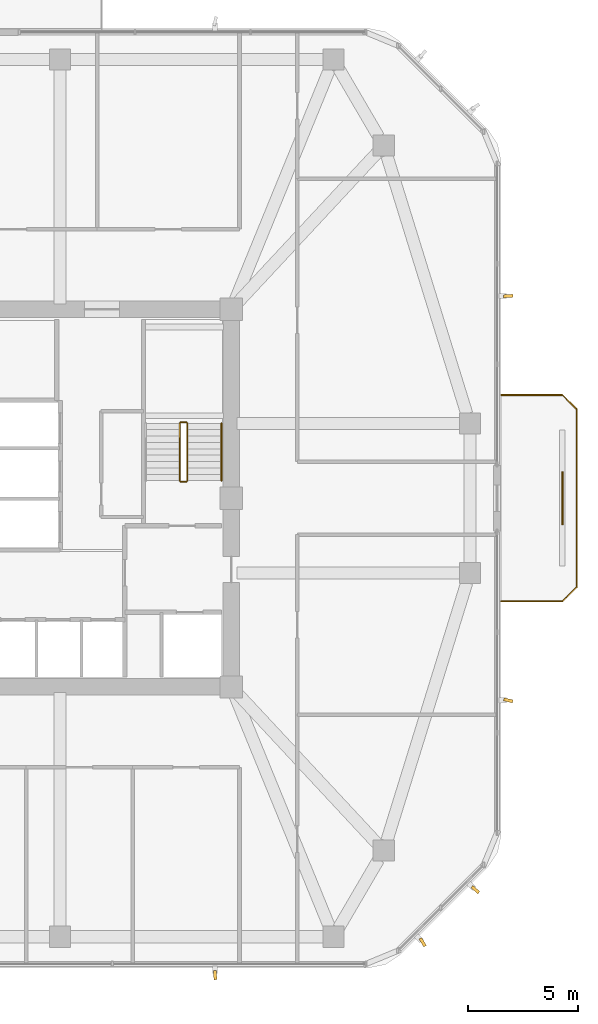
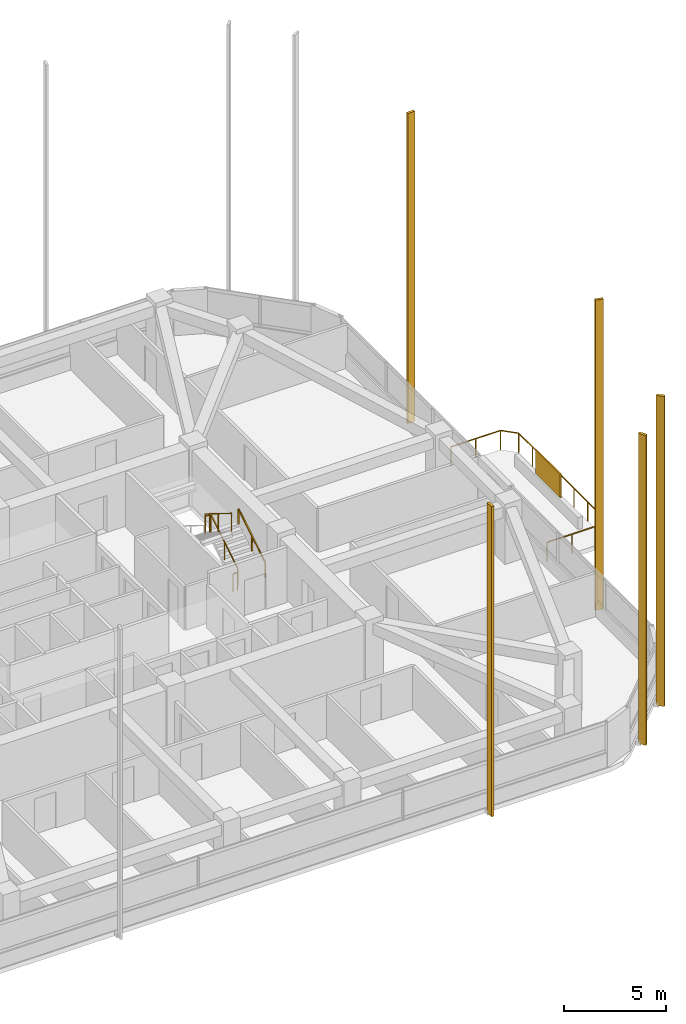
# One storey, part 13 of 14: 6 railings, 6 shading devices.
"""IFC4 building model written with IfcOpenShell, lengths in metres."""

from ifc_helpers import new_model, si_unit, derived_unit, direction, frame, origin, origin_2d, place, context, subcontext, project, spatial, rectangle, extrude, material, layer, layer_set, type_object, element, save


model = new_model("IFC4")

# Units and contexts
model_context = context("Model", 3, precision=1e-05, world=origin(), true_north=direction((0.0, 1.0)))
body_context = subcontext(model_context, "Body", "Model", "MODEL_VIEW")
ifc_project = project(units=[si_unit("LENGTHUNIT", "METRE"), si_unit("AREAUNIT", "SQUARE_METRE"), si_unit("VOLUMEUNIT", "CUBIC_METRE"), si_unit("PLANEANGLEUNIT", "RADIAN"), si_unit("MASSUNIT", "GRAM", prefix="KILO"), derived_unit("THERMALTRANSMITTANCEUNIT", [(si_unit("POWERUNIT", "WATT"), 1), (si_unit("LENGTHUNIT", "METRE"), -2), (si_unit("THERMODYNAMICTEMPERATUREUNIT", "KELVIN"), -1)])], contexts=[model_context])

# Site, building, storey
site_placement = place(None, origin())
site = spatial("IfcSite", under=ifc_project, at=site_placement, CompositionType="ELEMENT")
building_placement = place(site_placement, origin())
building = spatial("IfcBuilding", under=site, at=building_placement, Name="Koralith Skygarden Medical Center", CompositionType="ELEMENT")
storey_placement = place(building_placement, frame((0.0, 0.0, 174.419921875)))
storey = spatial("IfcBuildingStorey", under=building, at=storey_placement, Name="L45", CompositionType="ELEMENT", Elevation=174.419921875)

# Shading devices
ifc_material_1 = material(Name="Aluminium 6063-T6", Category="aluminium")
shading_device_type_1 = type_object("IfcShadingDeviceType", Name="Limestone-Clad Solar Storm Fin 420", PredefinedType="USERDEFINED", material=ifc_material_1)
for number, where, z_axis, x_axis, name in (
    (1, (47.4599609375, 4.169921875, -0.19970703125), (0.0, 0.0, 1.0), (0.070853310317, -0.997486745986, 0.0), "L45 S Harmonic Solar Storm Fin 2"),
    (2, (56.91796875, 5.66796875, -0.19970703125), (0.0, 0.0, 1.0), (0.524075095733, -0.851672057797, 0.0), "L45 SE Harmonic Solar Storm Fin 1"),
    (3, (59.31591796875, 8.06591796875, -0.19970703125), (0.0, 0.0, 1.0), (0.755430498425, -0.655228786036, 0.0), "L45 SE Harmonic Solar Storm Fin 2"),
    (4, (60.81396484375, 16.68994140625, -0.19970703125), (0.0, 0.0, 1.0), (0.972800141459, -0.231646033372, 0.0), "L45 E Harmonic Solar Storm Fin 1"),
    (5, (60.81396484375, 35.110107421875, -0.19970703125), (0.0, 0.0, 1.0), (0.997486745986, 0.070853310317, 0.0), "L45 E Harmonic Solar Storm Fin 2"),
):
    element("IfcShadingDevice", number, at=place(storey_placement, frame(where, z_axis=z_axis, x_axis=x_axis)), inside=storey, type_object=shading_device_type_1, Name=name, ObjectType="SOLAR FIN", PredefinedType="USERDEFINED", context=body_context, shape_type="SweptSolid", body=[
        extrude(rectangle(XDim=0.419921875, YDim=0.139892578125, at=origin_2d()), origin(), (0.0, 0.0, 1.0), 18.510009765625),
    ])

# Railing
ifc_material_2 = material(Name="Steel ASTM A500 Grade C", Category="steel")
railing_type_1 = type_object("IfcRailingType", Name="Outdoor Terrace & Balcony Safety Guardrail 1180", PredefinedType="GUARDRAIL", material=ifc_material_2)
railing_1_placement = place(storey_placement, frame((60.48388671875, 21.199951171875, 0.0)))
element("IfcRailing", 6, at=railing_1_placement, inside=storey, type_object=railing_type_1, Name="L45 E Balcony Perimeter Guardrail", PredefinedType="GUARDRAIL", context=body_context, shape_type="SweptSolid", body=[
    extrude(rectangle(XDim=0.050048828125, YDim=0.050048828125, at=origin_2d()), frame((0.001953125, 0.0, 1.15478515625), z_axis=(1.0, 0.0, 0.0), x_axis=(0.0, 1.0, 0.0)), (0.0, 0.0, 1.0), 2.796142578125),
    extrude(rectangle(XDim=0.050048828125, YDim=0.050048828125, at=origin_2d()), frame((2.801513671875, 0.00146484375, 1.15478515625), z_axis=(0.707106781187, 0.707106781187, 0.0), x_axis=(-0.707106781187, 0.707106781187, 0.0)), (0.0, 0.0, 1.0), 0.91552734375),
    extrude(rectangle(XDim=0.050048828125, YDim=0.050048828125, at=origin_2d()), frame((3.4501953125, 0.652099609375, 1.15478515625), z_axis=(0.0, 1.0, 0.0), x_axis=(-1.0, 0.0, 0.0)), (0.0, 0.0, 1.0), 8.095947265625),
    extrude(rectangle(XDim=0.050048828125, YDim=0.050048828125, at=origin_2d()), frame((3.44873046875, 8.75146484375, 1.15478515625), z_axis=(-0.707106781187, 0.707106781187, 0.0), x_axis=(-0.707106781187, -0.707106781187, 0.0)), (0.0, 0.0, 1.0), 0.91552734375),
    extrude(rectangle(XDim=0.050048828125, YDim=0.050048828125, at=origin_2d()), frame((2.798095703125, 9.400146484375, 1.15478515625), z_axis=(-1.0, 0.0, 0.0), x_axis=(0.0, -1.0, 0.0)), (0.0, 0.0, 1.0), 2.796142578125),
    extrude(rectangle(XDim=0.0419921875, YDim=0.0419921875, at=origin_2d()), origin(), (0.0, 0.0, 1.0), 1.1279296875),
    extrude(rectangle(XDim=0.0419921875, YDim=0.0419921875, at=origin_2d()), frame((1.39990234375, 0.0, 0.0)), (0.0, 0.0, 1.0), 1.1279296875),
    extrude(rectangle(XDim=0.0419921875, YDim=0.0419921875, at=origin_2d()), frame((2.800048828125, 0.0, 0.0)), (0.0, 0.0, 1.0), 1.1279296875),
    extrude(rectangle(XDim=0.0419921875, YDim=0.0419921875, at=origin_2d()), frame((3.4501953125, 0.650146484375, 0.0)), (0.0, 0.0, 1.0), 1.1279296875),
    extrude(rectangle(XDim=0.0419921875, YDim=0.0419921875, at=origin_2d()), frame((3.4501953125, 2.0, 0.0)), (0.0, 0.0, 1.0), 1.1279296875),
    extrude(rectangle(XDim=0.0419921875, YDim=0.0419921875, at=origin_2d()), frame((3.4501953125, 3.35009765625, 0.0)), (0.0, 0.0, 1.0), 1.1279296875),
    extrude(rectangle(XDim=0.0419921875, YDim=0.0419921875, at=origin_2d()), frame((3.4501953125, 4.7001953125, 0.0)), (0.0, 0.0, 1.0), 1.1279296875),
    extrude(rectangle(XDim=0.0419921875, YDim=0.0419921875, at=origin_2d()), frame((3.4501953125, 6.050048828125, 0.0)), (0.0, 0.0, 1.0), 1.1279296875),
    extrude(rectangle(XDim=0.0419921875, YDim=0.0419921875, at=origin_2d()), frame((3.4501953125, 7.39990234375, 0.0)), (0.0, 0.0, 1.0), 1.1279296875),
    extrude(rectangle(XDim=0.0419921875, YDim=0.0419921875, at=origin_2d()), frame((3.4501953125, 8.75, 0.0)), (0.0, 0.0, 1.0), 1.1279296875),
    extrude(rectangle(XDim=0.0419921875, YDim=0.0419921875, at=origin_2d()), frame((2.800048828125, 9.400146484375, 0.0)), (0.0, 0.0, 1.0), 1.1279296875),
    extrude(rectangle(XDim=0.0419921875, YDim=0.0419921875, at=origin_2d()), frame((1.39990234375, 9.400146484375, 0.0)), (0.0, 0.0, 1.0), 1.1279296875),
    extrude(rectangle(XDim=0.0419921875, YDim=0.0419921875, at=origin_2d()), frame((0.0, 9.400146484375, 0.0)), (0.0, 0.0, 1.0), 1.1279296875),
])

# Shading device
ifc_layer = layer(ifc_material_1, 0.080078125)
ifc_layer_set = layer_set([ifc_layer], Name="Aluminium 6063-T6")
shading_device_type_2 = type_object("IfcShadingDeviceType", Name="Perforated Biophilic Balcony Trellis Screen", PredefinedType="USERDEFINED", material=ifc_layer_set)
shading_device_placement = place(storey_placement, frame((63.283935546875, 25.89990234375, 0.72021484375), z_axis=(0.0, 0.0, 1.0), x_axis=(0.0, 1.0, 0.0)))
element("IfcShadingDevice", 7, at=shading_device_placement, inside=storey, type_object=shading_device_type_2, Name="L45 E Biophilic Balcony Trellis Screen", ObjectType="HURRICANE SCREEN", PredefinedType="USERDEFINED", context=body_context, shape_type="SweptSolid", body=[
    extrude(rectangle(XDim=2.39990234375, YDim=0.080078125, at=origin_2d()), origin(), (0.0, 0.0, 1.0), 1.39990234375),
])

# Railings
railing_type_2 = type_object("IfcRailingType", Name="Stair Flight Tubular Handrail 920", PredefinedType="HANDRAIL", material=ifc_material_2)
railing_2_placement = place(storey_placement, frame((47.75, 26.699951171875, 0.18017578125)))
element("IfcRailing", 8, at=railing_2_placement, inside=storey, type_object=railing_type_2, Name="L45 ST2 stair handrail 1", PredefinedType="HANDRAIL", context=body_context, shape_type="SweptSolid", body=[
    extrude(rectangle(XDim=0.050048828125, YDim=0.050048828125, at=origin_2d()), frame((0.0, 0.001708984375, 0.89599609375), z_axis=(0.0, 0.849668407637, 0.527317358963), x_axis=(-1.0, 0.0, 0.0)), (0.0, 0.0, 1.0), 3.06787109375),
    extrude(rectangle(XDim=0.0419921875, YDim=0.0419921875, at=origin_2d()), origin(), (0.0, 0.0, 1.0), 0.867919921875),
    extrude(rectangle(XDim=0.0419921875, YDim=0.0419921875, at=origin_2d()), frame((0.0, 1.30517578125, 0.81005859375)), (0.0, 0.0, 1.0), 0.867919921875),
    extrude(rectangle(XDim=0.0419921875, YDim=0.0419921875, at=origin_2d()), frame((0.0, 2.610107421875, 1.619873046875)), (0.0, 0.0, 1.0), 0.867919921875),
])
railing_type_3 = type_object("IfcRailingType", Name="Stair Well Safety Guardrail 1100", PredefinedType="GUARDRAIL", material=ifc_material_2)
railing_3_placement = place(storey_placement, frame((46.199951171875, 26.699951171875, 0.18017578125)))
element("IfcRailing", 9, at=railing_3_placement, inside=storey, type_object=railing_type_3, Name="L45 ST2 stair guard 1", PredefinedType="GUARDRAIL", context=body_context, shape_type="SweptSolid", body=[
    extrude(rectangle(XDim=0.050048828125, YDim=0.050048828125, at=origin_2d()), frame((0.0, 0.001708984375, 1.076171875), z_axis=(0.0, 0.849668407637, 0.527317358963), x_axis=(-1.0, 0.0, 0.0)), (0.0, 0.0, 1.0), 3.06787109375),
    extrude(rectangle(XDim=0.0419921875, YDim=0.0419921875, at=origin_2d()), origin(), (0.0, 0.0, 1.0), 1.048095703125),
    extrude(rectangle(XDim=0.0419921875, YDim=0.0419921875, at=origin_2d()), frame((0.0, 1.30517578125, 0.81005859375)), (0.0, 0.0, 1.0), 1.048095703125),
    extrude(rectangle(XDim=0.0419921875, YDim=0.0419921875, at=origin_2d()), frame((0.0, 2.610107421875, 1.619873046875)), (0.0, 0.0, 1.0), 1.048095703125),
])
railing_4_placement = place(storey_placement, frame((46.14990234375, 29.360107421875, 1.800048828125)))
element("IfcRailing", 10, at=railing_4_placement, inside=storey, type_object=railing_type_3, Name="L45 ST2 stair guard 2", PredefinedType="GUARDRAIL", context=body_context, shape_type="SweptSolid", body=[
    extrude(rectangle(XDim=0.050048828125, YDim=0.050048828125, at=origin_2d()), frame((-0.001953125, 0.0, 1.0751953125), z_axis=(-1.0, 0.0, 0.0), x_axis=(0.0, -1.0, 0.0)), (0.0, 0.0, 1.0), 0.24609375),
    extrude(rectangle(XDim=0.0419921875, YDim=0.0419921875, at=origin_2d()), origin(), (0.0, 0.0, 1.0), 1.048095703125),
    extrude(rectangle(XDim=0.0419921875, YDim=0.0419921875, at=origin_2d()), frame((-0.25, 0.0, 0.0)), (0.0, 0.0, 1.0), 1.048095703125),
])
railing_5_placement = place(storey_placement, frame((45.85009765625, 29.31005859375, 1.97998046875)))
element("IfcRailing", 11, at=railing_5_placement, inside=storey, type_object=railing_type_3, Name="L45 ST2 stair guard 3", PredefinedType="GUARDRAIL", context=body_context, shape_type="SweptSolid", body=[
    extrude(rectangle(XDim=0.050048828125, YDim=0.050048828125, at=origin_2d()), frame((0.0, -0.001708984375, 1.076171875), z_axis=(0.0, -0.849632798774, 0.527374731332), x_axis=(1.0, 0.0, 0.0)), (0.0, 0.0, 1.0), 3.068115234375),
    extrude(rectangle(XDim=0.0419921875, YDim=0.0419921875, at=origin_2d()), origin(), (0.0, 0.0, 1.0), 1.048095703125),
    extrude(rectangle(XDim=0.0419921875, YDim=0.0419921875, at=origin_2d()), frame((0.0, -1.30517578125, 0.81005859375)), (0.0, 0.0, 1.0), 1.048095703125),
    extrude(rectangle(XDim=0.0419921875, YDim=0.0419921875, at=origin_2d()), frame((0.0, -2.610107421875, 1.6201171875)), (0.0, 0.0, 1.0), 1.048095703125),
])
railing_6_placement = place(storey_placement, frame((46.14990234375, 26.64990234375, 0.0)))
element("IfcRailing", 12, at=railing_6_placement, inside=storey, type_object=railing_type_3, Name="L45 ST2 stair guard 4", PredefinedType="GUARDRAIL", context=body_context, shape_type="SweptSolid", body=[
    extrude(rectangle(XDim=0.050048828125, YDim=0.050048828125, at=origin_2d()), frame((-0.001953125, 0.0, 1.0751953125), z_axis=(-1.0, 0.0, 0.0), x_axis=(0.0, -1.0, 0.0)), (0.0, 0.0, 1.0), 0.24609375),
    extrude(rectangle(XDim=0.0419921875, YDim=0.0419921875, at=origin_2d()), origin(), (0.0, 0.0, 1.0), 1.048095703125),
    extrude(rectangle(XDim=0.0419921875, YDim=0.0419921875, at=origin_2d()), frame((-0.25, 0.0, 0.0)), (0.0, 0.0, 1.0), 1.048095703125),
])

save(model, "model.ifc")
